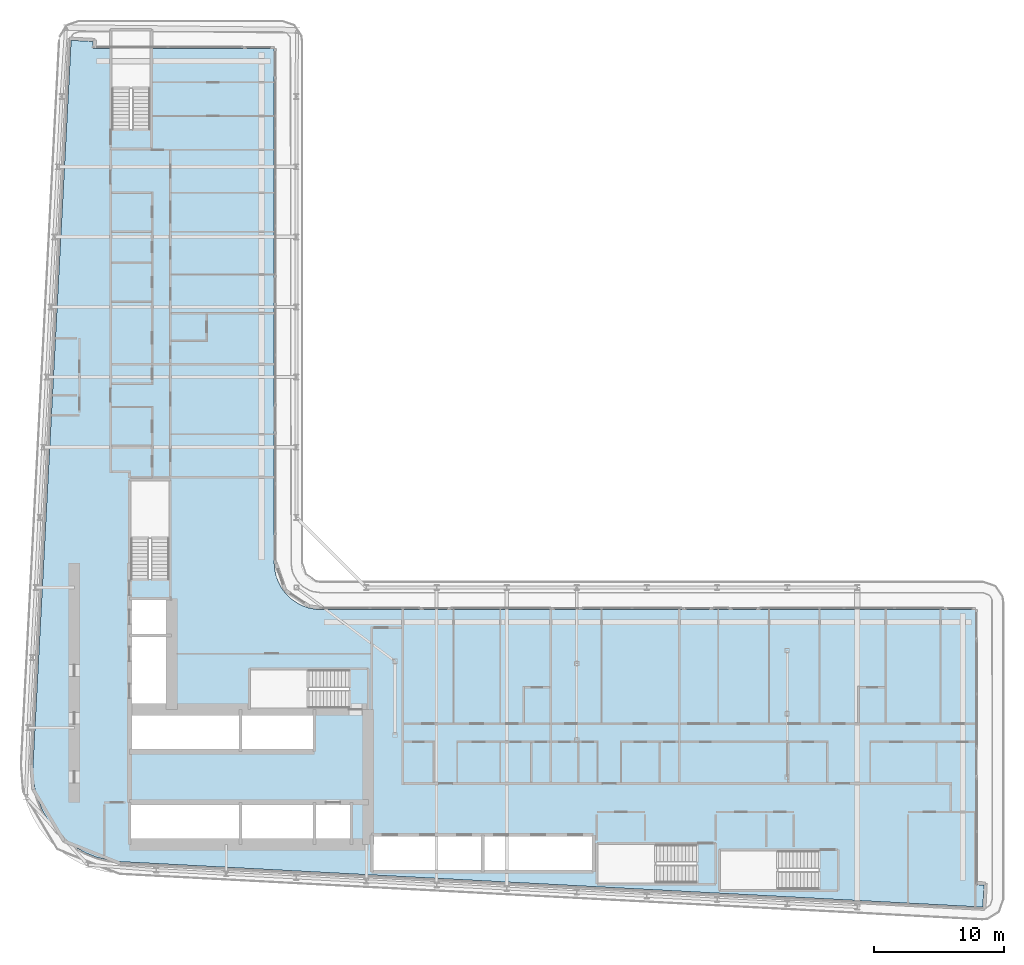
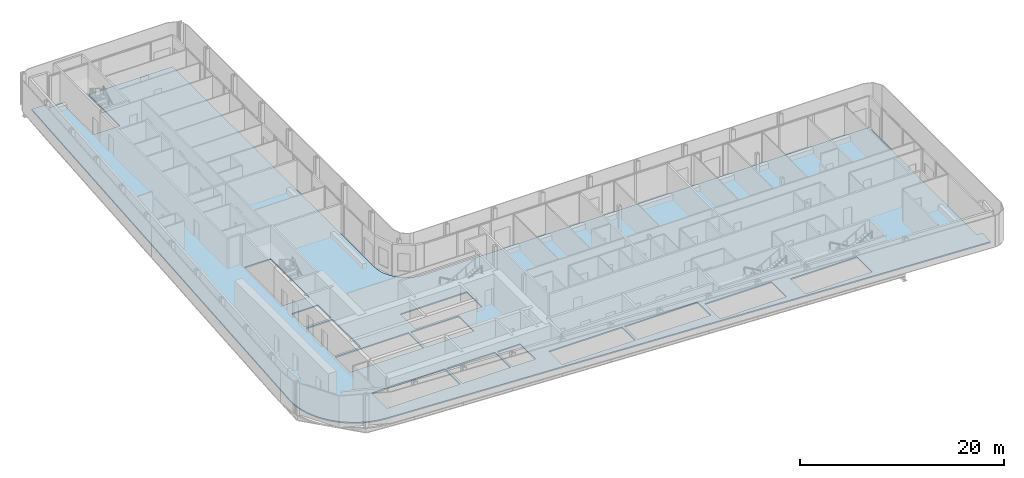
# One storey, part 11 of 27: 1 slab.
"""IFC4 building model written with IfcOpenShell, lengths in metres."""

from ifc_helpers import new_model, si_unit, direction, frame, origin, place, context, subcontext, project, spatial, polyline, outline, extrude, material, layer, layer_set, type_object, element, save


model = new_model("IFC4")

# Units and contexts
model_context = context("Model", 3, precision=1e-05, world=origin(), true_north=direction((0.0, 1.0)))
body_context = subcontext(model_context, "Body", "Model", "MODEL_VIEW")
ifc_project = project(units=[si_unit("LENGTHUNIT", "METRE"), si_unit("AREAUNIT", "SQUARE_METRE"), si_unit("VOLUMEUNIT", "CUBIC_METRE"), si_unit("PLANEANGLEUNIT", "RADIAN"), si_unit("MASSUNIT", "GRAM", prefix="KILO")], contexts=[model_context])

# Site, building, storey
site_placement = place(None, origin())
site = spatial("IfcSite", under=ifc_project, at=site_placement, CompositionType="ELEMENT")
building_placement = place(site_placement, origin())
building = spatial("IfcBuilding", under=site, at=building_placement, Name="Kheshtan School and Residences Tower", CompositionType="ELEMENT")
storey_placement = place(building_placement, frame((0.0, 0.0, 98.0)))
storey = spatial("IfcBuildingStorey", under=building, at=storey_placement, Name="L22", CompositionType="ELEMENT", Elevation=98.0)

# Slab
ifc_material = material(Name="Concrete C40/50", Category="concrete")
ifc_layer = layer(ifc_material, 0.14990234375)
ifc_layer_set = layer_set([ifc_layer], Name="Floor slab 150 Concrete C40/50")
slab_type = type_object("IfcSlabType", Name="Floor slab 150 Concrete C40/50", PredefinedType="FLOOR", material=ifc_layer_set)
slab_placement = place(storey_placement, frame((0.0, 0.0, -0.14990234375)))
element("IfcSlab", 1, at=slab_placement, inside=storey, type_object=slab_type, Name="Floor slab L22", PredefinedType="FLOOR", context=body_context, shape_type="SweptSolid", body=[
    extrude(outline(polyline([(27.718017578125, 29.200927734375), (27.466064453125, 30.093017578125), (27.466064453125, 30.093994140625), (27.3330078125, 31.013916015625), (27.320068359375, 31.965087890625), (27.320068359375, 31.970947265625), (30.25390625, 87.700927734375), (30.2548828125, 87.7080078125), (30.258056640625, 87.73095703125), (30.258056640625, 87.73193359375), (30.259033203125, 87.73193359375), (30.85400390625, 87.699951171875), (30.85498046875, 87.699951171875), (30.85498046875, 87.698974609375), (30.85498046875, 87.695068359375), (30.85498046875, 87.694091796875), (30.85595703125, 87.694091796875), (30.85595703125, 87.693115234375), (30.85693359375, 87.693115234375), (30.85791015625, 87.693115234375), (30.85791015625, 87.694091796875), (30.860107421875, 87.696044921875), (30.861083984375, 87.697021484375), (30.862060546875, 87.697998046875), (30.863037109375, 87.697998046875), (30.863037109375, 87.698974609375), (30.864013671875, 87.698974609375), (30.864013671875, 87.699951171875), (30.864990234375, 87.699951171875), (30.866943359375, 87.700927734375), (30.867919921875, 87.701904296875), (30.87109375, 87.701904296875), (30.8720703125, 87.701904296875), (30.8720703125, 87.702880859375), (30.873046875, 87.702880859375), (30.8779296875, 87.702880859375), (31.93310546875, 87.64697265625), (31.93603515625, 87.64697265625), (31.93701171875, 87.64697265625), (31.93701171875, 87.64599609375), (31.93798828125, 87.64599609375), (31.94189453125, 87.64599609375), (31.94189453125, 87.64501953125), (31.943115234375, 87.64501953125), (31.943115234375, 87.64404296875), (31.944091796875, 87.64404296875), (31.944091796875, 87.64306640625), (31.945068359375, 87.64306640625), (31.946044921875, 87.64306640625), (31.946044921875, 87.64208984375), (31.947021484375, 87.64208984375), (31.947998046875, 87.64208984375), (31.947998046875, 87.64111328125), (31.949951171875, 87.638916015625), (31.950927734375, 87.638916015625), (31.950927734375, 87.637939453125), (31.950927734375, 87.636962890625), (31.951904296875, 87.636962890625), (31.951904296875, 87.635986328125), (31.952880859375, 87.635986328125), (31.952880859375, 87.634033203125), (31.952880859375, 87.633056640625), (31.9541015625, 87.633056640625), (31.9541015625, 87.632080078125), (31.955078125, 87.632080078125), (31.955078125, 87.631103515625), (31.955078125, 87.62890625), (31.955078125, 87.6279296875), (31.9560546875, 87.6279296875), (31.9560546875, 87.626953125), (31.9560546875, 87.6220703125), (31.928955078125, 87.12109375), (31.928955078125, 87.117919921875), (31.928955078125, 87.116943359375), (31.927978515625, 87.116943359375), (31.927978515625, 87.115966796875), (31.927978515625, 87.112060546875), (31.927001953125, 87.111083984375), (31.927001953125, 87.110107421875), (31.926025390625, 87.110107421875), (31.926025390625, 87.10888671875), (31.925048828125, 87.10888671875), (31.925048828125, 87.10791015625), (31.924072265625, 87.10693359375), (31.922119140625, 87.10498046875), (31.9208984375, 87.10400390625), (31.919921875, 87.10400390625), (31.919921875, 87.10302734375), (31.919921875, 87.10205078125), (31.919921875, 87.10107421875), (31.9208984375, 87.10107421875), (31.9208984375, 87.10009765625), (31.922119140625, 87.10009765625), (33.39990234375, 87.10009765625), (33.39990234375, 80.909912109375), (34.800048828125, 80.909912109375), (34.800048828125, 80.89990234375), (36.35009765625, 80.89990234375), (36.35009765625, 87.10009765625), (45.85498046875, 87.10009765625), (45.864990234375, 87.097900390625), (45.865966796875, 87.097900390625), (45.868896484375, 87.095947265625), (45.8740234375, 87.093994140625), (45.8779296875, 87.092041015625), (45.881103515625, 87.090087890625), (45.881103515625, 87.089111328125), (45.882080078125, 87.089111328125), (45.882080078125, 87.087890625), (45.883056640625, 87.087890625), (45.884033203125, 87.0849609375), (45.885009765625, 87.0849609375), (45.885009765625, 87.083984375), (45.887939453125, 87.0830078125), (45.887939453125, 87.08203125), (45.888916015625, 87.08203125), (45.888916015625, 87.0810546875), (45.889892578125, 87.0810546875), (45.89208984375, 87.077880859375), (45.89404296875, 87.073974609375), (45.89599609375, 87.069091796875), (45.89794921875, 87.06591796875), (45.89794921875, 87.06494140625), (45.89990234375, 87.054931640625), (45.89990234375, 47.429931640625), (45.927001953125, 47.030029296875), (46.01806640625, 46.570068359375), (46.01806640625, 46.569091796875), (46.169921875, 46.1201171875), (46.37890625, 45.697021484375), (46.638916015625, 45.30810546875), (46.949951171875, 44.950927734375), (46.950927734375, 44.949951171875), (47.30810546875, 44.638916015625), (47.697021484375, 44.37890625), (48.1201171875, 44.169921875), (48.569091796875, 44.01806640625), (48.570068359375, 44.01806640625), (49.030029296875, 43.927001953125), (49.429931640625, 43.89990234375), (99.85498046875, 43.89990234375), (99.864990234375, 43.89794921875), (99.865966796875, 43.89794921875), (99.868896484375, 43.89599609375), (99.8740234375, 43.89404296875), (99.8779296875, 43.89208984375), (99.881103515625, 43.889892578125), (99.881103515625, 43.888916015625), (99.882080078125, 43.888916015625), (99.882080078125, 43.887939453125), (99.883056640625, 43.887939453125), (99.884033203125, 43.885009765625), (99.885009765625, 43.885009765625), (99.885009765625, 43.884033203125), (99.887939453125, 43.883056640625), (99.887939453125, 43.882080078125), (99.888916015625, 43.882080078125), (99.888916015625, 43.881103515625), (99.889892578125, 43.881103515625), (99.89208984375, 43.8779296875), (99.89404296875, 43.8740234375), (99.89599609375, 43.868896484375), (99.89794921875, 43.865966796875), (99.89794921875, 43.864990234375), (99.89990234375, 43.85498046875), (99.89990234375, 22.708984375), (99.89990234375, 22.7080078125), (99.90087890625, 22.7080078125), (99.90087890625, 22.70703125), (99.902099609375, 22.70703125), (99.903076171875, 22.70703125), (99.903076171875, 22.7080078125), (99.905029296875, 22.7099609375), (99.906982421875, 22.7119140625), (99.907958984375, 22.7119140625), (99.907958984375, 22.712890625), (99.908935546875, 22.712890625), (99.908935546875, 22.714111328125), (99.909912109375, 22.714111328125), (99.912109375, 22.715087890625), (99.9130859375, 22.716064453125), (99.916015625, 22.716064453125), (99.9169921875, 22.716064453125), (99.9169921875, 22.717041015625), (99.91796875, 22.717041015625), (99.923095703125, 22.717041015625), (100.5380859375, 22.68408203125), (100.541015625, 22.68408203125), (100.5419921875, 22.68408203125), (100.5419921875, 22.68310546875), (100.54296875, 22.68310546875), (100.547119140625, 22.68310546875), (100.547119140625, 22.681884765625), (100.548095703125, 22.681884765625), (100.548095703125, 22.680908203125), (100.549072265625, 22.680908203125), (100.549072265625, 22.679931640625), (100.550048828125, 22.679931640625), (100.551025390625, 22.679931640625), (100.551025390625, 22.678955078125), (100.552001953125, 22.678955078125), (100.552978515625, 22.678955078125), (100.552978515625, 22.677978515625), (100.554931640625, 22.676025390625), (100.555908203125, 22.676025390625), (100.555908203125, 22.675048828125), (100.555908203125, 22.674072265625), (100.556884765625, 22.674072265625), (100.556884765625, 22.673095703125), (100.55810546875, 22.673095703125), (100.55810546875, 22.6708984375), (100.55810546875, 22.669921875), (100.55908203125, 22.669921875), (100.55908203125, 22.6689453125), (100.56005859375, 22.6689453125), (100.56005859375, 22.66796875), (100.56005859375, 22.666015625), (100.56005859375, 22.6650390625), (100.56103515625, 22.6650390625), (100.56103515625, 22.6640625), (100.56103515625, 22.658935546875), (100.5048828125, 21.60205078125), (100.5048828125, 21.59912109375), (100.5048828125, 21.597900390625), (100.50390625, 21.597900390625), (100.50390625, 21.596923828125), (100.50390625, 21.593017578125), (100.5029296875, 21.592041015625), (100.5029296875, 21.591064453125), (100.501953125, 21.591064453125), (100.501953125, 21.590087890625), (100.5009765625, 21.590087890625), (100.5009765625, 21.589111328125), (100.5, 21.587890625), (100.498046875, 21.5859375), (100.4970703125, 21.5849609375), (100.49609375, 21.5849609375), (100.49609375, 21.583984375), (100.49609375, 21.5830078125), (100.49609375, 21.58203125), (100.4970703125, 21.58203125), (100.4970703125, 21.5810546875), (100.498046875, 21.5810546875), (100.4990234375, 21.5810546875), (100.5, 21.5810546875), (100.5, 21.580078125), (100.468017578125, 20.985107421875), (100.468017578125, 20.98388671875), (100.467041015625, 20.98388671875), (100.443115234375, 20.98291015625), (100.43798828125, 20.98291015625), (34.056884765625, 24.47802734375), (33.114990234375, 24.590087890625), (32.215087890625, 24.819091796875), (32.214111328125, 24.819091796875), (31.35205078125, 25.1630859375), (30.541015625, 25.616943359375), (29.799072265625, 26.1708984375), (29.799072265625, 26.172119140625), (29.798095703125, 26.172119140625), (29.134033203125, 26.820068359375), (29.134033203125, 26.821044921875), (29.133056640625, 26.821044921875), (28.55908203125, 27.550048828125), (28.0849609375, 28.345947265625), (27.718017578125, 29.200927734375)]), holes=[polyline([(99.89990234375, 21.5869140625), (99.89990234375, 21.5830078125), (99.89990234375, 21.58203125), (99.90087890625, 21.58203125), (99.90087890625, 21.5810546875), (99.902099609375, 21.5810546875), (99.906005859375, 21.5810546875), (99.906982421875, 21.5810546875), (99.906982421875, 21.58203125), (99.907958984375, 21.58203125), (99.907958984375, 21.5830078125), (99.907958984375, 21.583984375), (99.906982421875, 21.583984375), (99.905029296875, 21.5859375), (99.904052734375, 21.5869140625), (99.903076171875, 21.587890625), (99.903076171875, 21.589111328125), (99.902099609375, 21.589111328125), (99.90087890625, 21.589111328125), (99.90087890625, 21.587890625), (99.89990234375, 21.587890625), (99.89990234375, 21.5869140625)]), polyline([(30.85498046875, 87.10595703125), (30.85498046875, 87.10205078125), (30.85498046875, 87.10107421875), (30.85595703125, 87.10107421875), (30.85595703125, 87.10009765625), (30.85693359375, 87.10009765625), (30.861083984375, 87.10009765625), (30.862060546875, 87.10009765625), (30.862060546875, 87.10107421875), (30.863037109375, 87.10107421875), (30.863037109375, 87.10205078125), (30.863037109375, 87.10302734375), (30.862060546875, 87.10302734375), (30.861083984375, 87.10400390625), (30.860107421875, 87.10498046875), (30.85888671875, 87.10595703125), (30.85791015625, 87.10693359375), (30.85791015625, 87.10791015625), (30.85693359375, 87.10791015625), (30.85595703125, 87.10791015625), (30.85595703125, 87.10693359375), (30.85498046875, 87.10693359375), (30.85498046875, 87.10595703125)]), polyline([(34.875, 28.925048828125), (34.875, 25.925048828125), (43.175048828125, 25.925048828125), (43.175048828125, 28.925048828125), (34.875, 28.925048828125)]), polyline([(43.425048828125, 25.925048828125), (48.875, 25.925048828125), (48.875, 28.925048828125), (43.425048828125, 28.925048828125), (43.425048828125, 25.925048828125)]), polyline([(43.175048828125, 36.074951171875), (34.875, 36.074951171875), (34.875, 33.074951171875), (43.175048828125, 33.074951171875), (43.175048828125, 36.074951171875)]), polyline([(34.875, 41.77490234375), (34.875, 36.324951171875), (37.875, 36.324951171875), (37.875, 41.77490234375), (34.875, 41.77490234375)]), polyline([(34.875, 44.625), (34.875, 42.02490234375), (37.875, 42.02490234375), (37.875, 44.625), (34.875, 44.625)]), polyline([(37.800048828125, 46.25), (37.800048828125, 53.81005859375), (34.85009765625, 53.81005859375), (34.85009765625, 46.260009765625), (36.25, 46.260009765625), (36.25, 46.25), (37.800048828125, 46.25)]), polyline([(87.81005859375, 22.35009765625), (87.81005859375, 23.75), (87.820068359375, 23.75), (87.820068359375, 25.300048828125), (80.260009765625, 25.300048828125), (80.260009765625, 22.35009765625), (87.81005859375, 22.35009765625)]), polyline([(70.85009765625, 22.85009765625), (78.39990234375, 22.85009765625), (78.39990234375, 24.25), (78.409912109375, 24.25), (78.409912109375, 25.800048828125), (70.85009765625, 25.800048828125), (70.85009765625, 22.85009765625)]), polyline([(61.824951171875, 26.425048828125), (53.52490234375, 26.425048828125), (53.52490234375, 23.824951171875), (61.824951171875, 23.824951171875), (61.824951171875, 26.425048828125)]), polyline([(62.074951171875, 23.824951171875), (70.375, 23.824951171875), (70.375, 26.425048828125), (62.074951171875, 26.425048828125), (62.074951171875, 23.824951171875)]), polyline([(49.125, 28.925048828125), (49.125, 25.925048828125), (51.72509765625, 25.925048828125), (51.72509765625, 28.925048828125), (49.125, 28.925048828125)]), polyline([(43.425048828125, 33.074951171875), (48.875, 33.074951171875), (48.875, 36.074951171875), (43.425048828125, 36.074951171875), (43.425048828125, 33.074951171875)]), polyline([(51.64990234375, 39.25), (44.090087890625, 39.25), (44.090087890625, 36.300048828125), (51.639892578125, 36.300048828125), (51.639892578125, 37.699951171875), (51.64990234375, 37.699951171875), (51.64990234375, 39.25)])]), origin(), (0.0, 0.0, 1.0), 0.14990234375),
])

save(model, "model.ifc")
